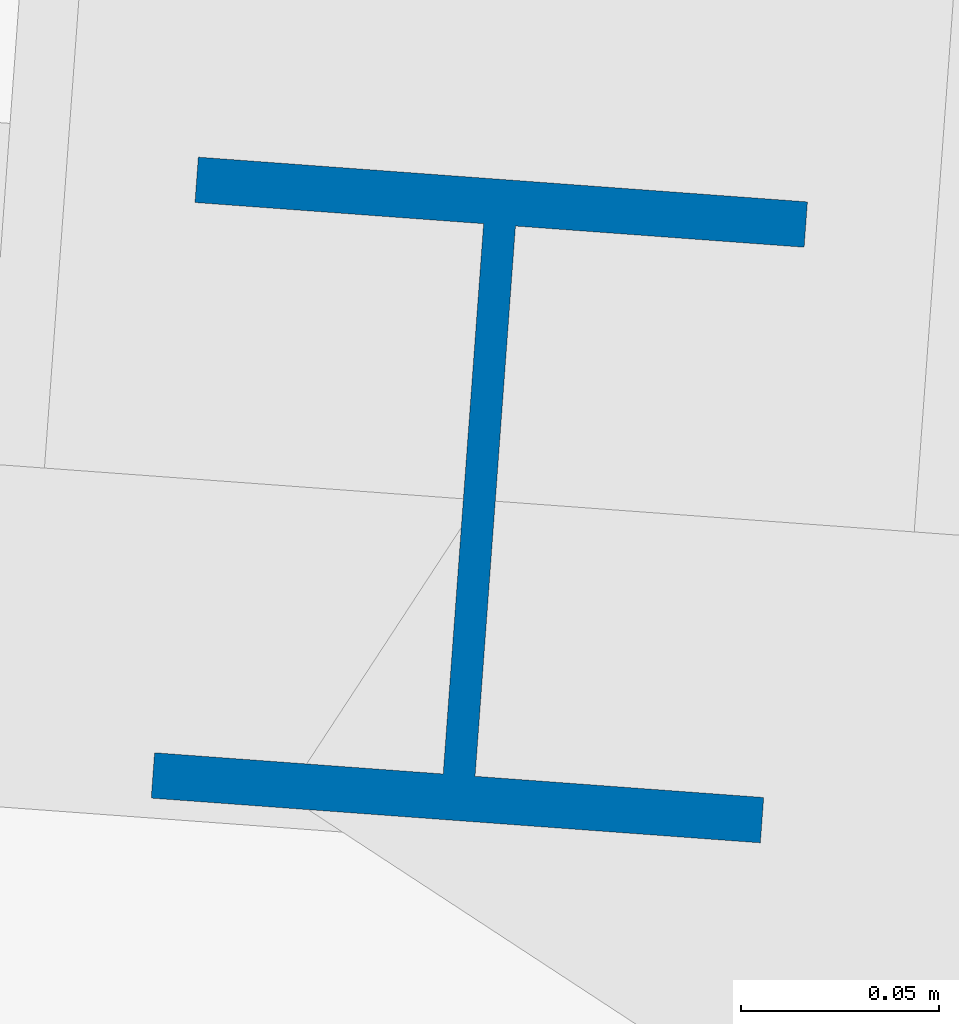
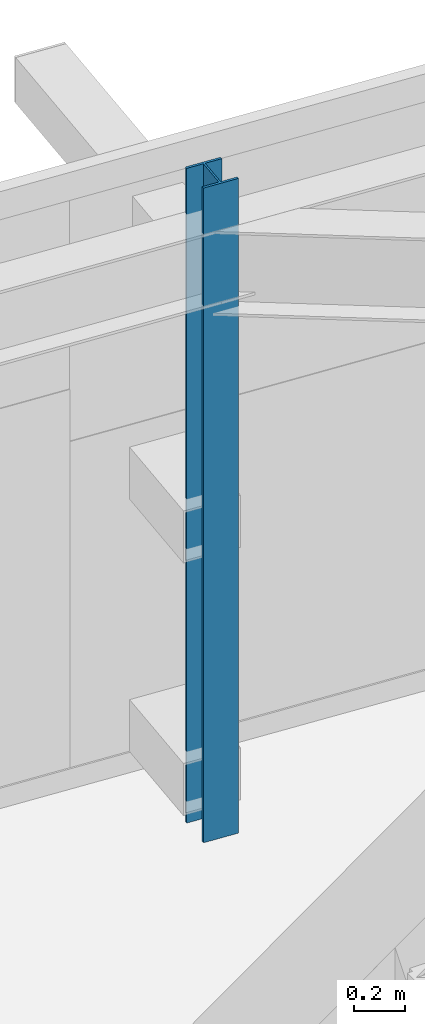
# One storey, part 8 of 35: 1 column.
"""IFC4 building model written with IfcOpenShell, lengths in metres."""

from ifc_helpers import new_model, si_unit, direction, frame, origin, origin_2d, place, context, subcontext, project, spatial, i_section, extrude, source, transform, mapped, material, material_profile, profile_set, type_object, element, save


model = new_model("IFC4")

# Units and contexts
model_context = context("Model", 3, precision=1e-05, world=origin(), true_north=direction((0.0, 1.0)))
body_context = subcontext(model_context, "Body", "Model", "MODEL_VIEW")
ifc_project = project(units=[si_unit("LENGTHUNIT", "METRE"), si_unit("AREAUNIT", "SQUARE_METRE"), si_unit("VOLUMEUNIT", "CUBIC_METRE"), si_unit("PLANEANGLEUNIT", "RADIAN"), si_unit("MASSUNIT", "GRAM", prefix="KILO")], contexts=[model_context])

# Site, building, storey
site_placement = place(None, origin())
site = spatial("IfcSite", under=ifc_project, at=site_placement, CompositionType="ELEMENT")
building_placement = place(site_placement, origin())
building = spatial("IfcBuilding", under=site, at=building_placement, Name="Taldren Reach Tower", CompositionType="ELEMENT")
storey_placement = place(building_placement, frame((0.0, 0.0, 236.60009765625)))
storey = spatial("IfcBuildingStorey", under=building, at=storey_placement, Name="L72", CompositionType="ELEMENT", Elevation=236.60009765625)

# Column
ifc_material = material(Name="Steel Gr 350 (350PLUS)", Category="steel")
ifc_material_profile = material_profile(ifc_material, i_section(OverallWidth=0.154052734375, OverallDepth=0.162109375, WebThickness=0.008056640625, FlangeThickness=0.011474609375, at=origin_2d()), Name="150UC37.2")
ifc_profile_set = profile_set([ifc_material_profile], Name="Steel Gr 350 (350PLUS)")
column_type = type_object("IfcColumnType", Name="COL-UC150", PredefinedType="COLUMN", material=ifc_profile_set)
shared_shape = source(origin(), body_context, "Body", "SweptSolid", [
    extrude(i_section(OverallWidth=0.154052734375, OverallDepth=0.162109375, WebThickness=0.008056640625, FlangeThickness=0.011474609375, at=origin_2d()), origin(), (0.0, 0.0, 1.0), 3.14990234375),
])
column_placement = place(storey_placement, frame((47.199462890625, 34.487548828125, 0.0), z_axis=(0.0, 0.0, 1.0), x_axis=(0.997314477224, -0.073238197128, 0.0)))
element("IfcColumn", 1, at=column_placement, inside=storey, type_object=column_type, Name="Block B5 perimeter column N5 L72", PredefinedType="COLUMN", context=body_context, shape_type="MappedRepresentation", body=[
    mapped(shared_shape, transform((0.0, 0.0, 0.0), scale=1.0)),
])

save(model, "model.ifc")
